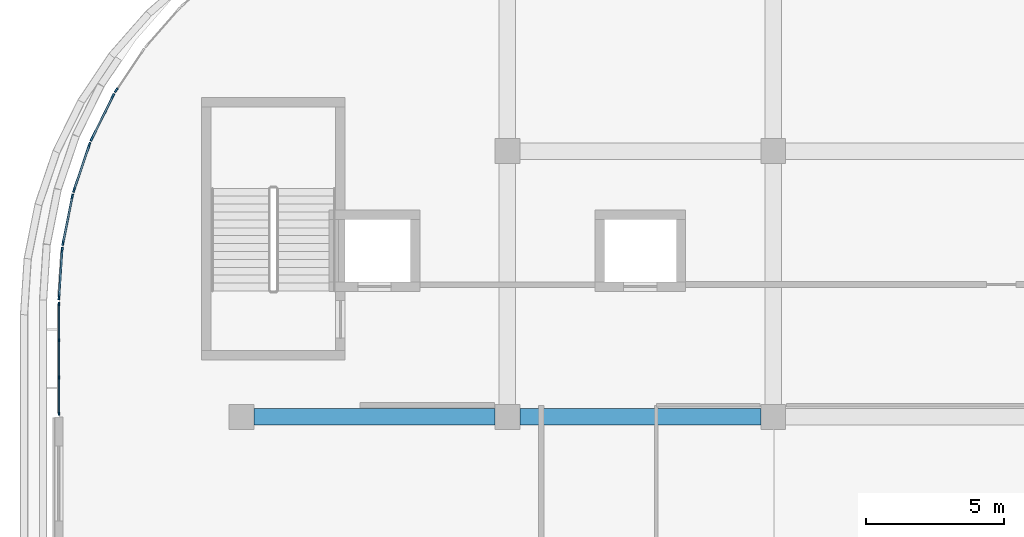
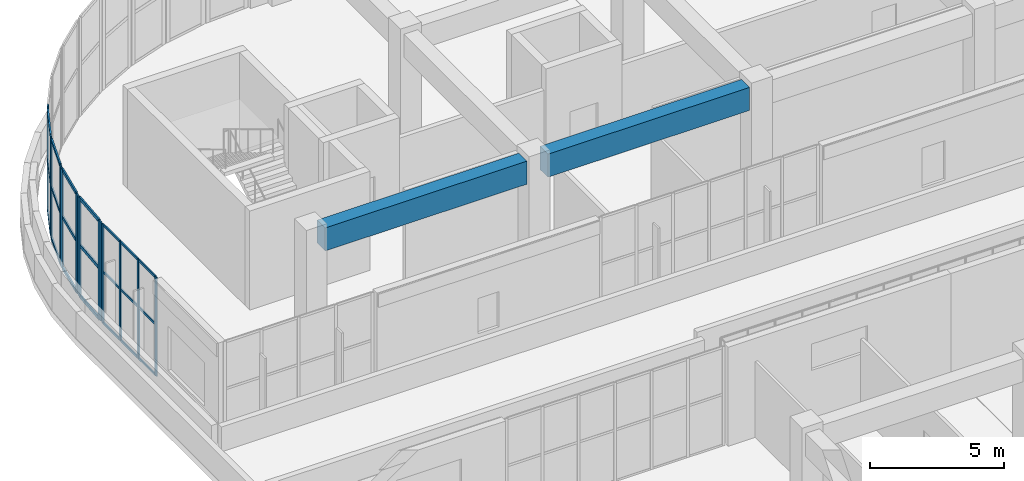
# One storey, part 23 of 96: 34 members, 2 beams, 6 elements without a shape of their own.
"""IFC4 building model written with IfcOpenShell, lengths in metres."""

from ifc_helpers import new_model, si_unit, direction, frame, origin, origin_2d, place, context, subcontext, project, spatial, rectangle, extrude, material, layer, layer_set, material_profile, profile_set, type_object, element, aggregate, save


model = new_model("IFC4")

# Units and contexts
model_context = context("Model", 3, precision=1e-05, world=origin(), true_north=direction((0.0, 1.0)))
body_context = subcontext(model_context, "Body", "Model", "MODEL_VIEW")
ifc_project = project(units=[si_unit("LENGTHUNIT", "METRE"), si_unit("AREAUNIT", "SQUARE_METRE"), si_unit("VOLUMEUNIT", "CUBIC_METRE"), si_unit("PLANEANGLEUNIT", "RADIAN"), si_unit("MASSUNIT", "GRAM", prefix="KILO")], contexts=[model_context])

# Site, building, storey
site_placement = place(None, origin())
site = spatial("IfcSite", under=ifc_project, at=site_placement, CompositionType="ELEMENT")
building_placement = place(site_placement, origin())
building = spatial("IfcBuilding", under=site, at=building_placement, Name="Cendralis Terraced Arcade", CompositionType="ELEMENT")
storey_placement = place(building_placement, frame((0.0, 0.0, 10.199951171875)))
storey = spatial("IfcBuildingStorey", under=building, at=storey_placement, Name="L02", CompositionType="ELEMENT", Elevation=10.199951171875)

# Beams
ifc_material_1 = material(Name="Concrete f'c 35 MPa", Category="concrete")
ifc_material_profile_1 = material_profile(ifc_material_1, rectangle(XDim=0.60009765625, YDim=1.050048828125, at=origin_2d()), Name="RC-BM-600x1050", Category="LoadBearing")
ifc_profile_set_1 = profile_set([ifc_material_profile_1], Name="Concrete f'c 35 MPa")
beam_type = type_object("IfcBeamType", Name="BM-600x1050", PredefinedType="JOIST", material=ifc_profile_set_1)
beam_1_placement = place(storey_placement, frame((10.050048828125, 69.60009765625, 3.989990234375), z_axis=(1.0, 0.0, 0.0), x_axis=(0.0, 1.0, 0.0)))
element("IfcBeam", 1, at=beam_1_placement, inside=storey, type_object=beam_type, Name="Reinforced Concrete Frame Beam BM-X-L03-H-2_3", PredefinedType="JOIST", context=body_context, shape_type="SweptSolid", body=[
    extrude(rectangle(XDim=0.60009765625, YDim=1.050048828125, at=origin_2d()), origin(), (0.0, 0.0, 1.0), 8.699951171875),
])
beam_2_placement = place(storey_placement, frame((19.64990234375, 69.60009765625, 3.989990234375), z_axis=(1.0, 0.0, 0.0), x_axis=(0.0, 1.0, 0.0)))
element("IfcBeam", 2, at=beam_2_placement, inside=storey, type_object=beam_type, Name="Reinforced Concrete Frame Beam BM-X-L03-H-3_4", PredefinedType="JOIST", context=body_context, shape_type="SweptSolid", body=[
    extrude(rectangle(XDim=0.60009765625, YDim=1.050048828125, at=origin_2d()), origin(), (0.0, 0.0, 1.0), 8.7001953125),
])

# Curtain wall, members
ifc_material_2 = material(Name="Anodised aluminium EN AW-6063 T6", Category="aluminium")
ifc_layer_1 = layer(ifc_material_2, 0.1201171875, Name="CW-STORE-B")
ifc_layer_set_1 = layer_set([ifc_layer_1], Name="Anodised aluminium EN AW-6063 T6")
curtain_wall_type_1 = type_object("IfcCurtainWallType", Name="CW-STORE-B", PredefinedType="USERDEFINED", material=ifc_layer_set_1)
curtain_wall_1_placement = place(storey_placement, origin())
curtain_wall_1 = element("IfcCurtainWall", 3, at=curtain_wall_1_placement, inside=storey, type_object=curtain_wall_type_1, Name="Exterior Storefront Glazing CW-L02-0130", ObjectType="STOREFRONT GLAZING", PredefinedType="USERDEFINED")
ifc_material_profile_2 = material_profile(ifc_material_2, rectangle(XDim=0.054931640625, YDim=0.1201171875, at=origin_2d()), Name="ALU-MUL-55x120")
ifc_profile_set_2 = profile_set([ifc_material_profile_2], Name="Anodised aluminium EN AW-6063 T6")
member_type_1 = type_object("IfcMemberType", Name="CW-STORE-B-MUL", PredefinedType="MULLION", material=ifc_profile_set_2)
member_1_placement = place(storey_placement, frame((3.0, 69.717529296875, 0.0), z_axis=(0.0, 0.0, 1.0), x_axis=(-1.0, 0.0, 0.0)))
member_1 = element("IfcMember", 4, at=member_1_placement, type_object=member_type_1, Name="CW-S2 mullion 1", PredefinedType="MULLION", context=body_context, shape_type="SweptSolid", body=[
    extrude(rectangle(XDim=0.054931640625, YDim=0.1201171875, at=origin_2d()), origin(), (0.0, 0.0, 1.0), 4.51513671875),
])
member_2_placement = place(storey_placement, frame((3.0, 71.030029296875, 0.0), z_axis=(0.0, 0.0, 1.0), x_axis=(-1.0, 0.0, 0.0)))
member_2 = element("IfcMember", 5, at=member_2_placement, type_object=member_type_1, Name="CW-S2 mullion 2", PredefinedType="MULLION", context=body_context, shape_type="SweptSolid", body=[
    extrude(rectangle(XDim=0.054931640625, YDim=0.1201171875, at=origin_2d()), origin(), (0.0, 0.0, 1.0), 4.51513671875),
])
member_3_placement = place(storey_placement, frame((3.0, 72.3701171875, 0.0), z_axis=(0.0, 0.0, 1.0), x_axis=(-1.0, 0.0, 0.0)))
member_3 = element("IfcMember", 6, at=member_3_placement, type_object=member_type_1, Name="CW-S2 mullion 3", PredefinedType="MULLION", context=body_context, shape_type="SweptSolid", body=[
    extrude(rectangle(XDim=0.054931640625, YDim=0.1201171875, at=origin_2d()), origin(), (0.0, 0.0, 1.0), 4.51513671875),
])
member_4_placement = place(storey_placement, frame((3.0, 73.6826171875, 0.0), z_axis=(0.0, 0.0, 1.0), x_axis=(-1.0, 0.0, 0.0)))
member_4 = element("IfcMember", 7, at=member_4_placement, type_object=member_type_1, Name="CW-S2 mullion 4", PredefinedType="MULLION", context=body_context, shape_type="SweptSolid", body=[
    extrude(rectangle(XDim=0.054931640625, YDim=0.1201171875, at=origin_2d()), origin(), (0.0, 0.0, 1.0), 4.51513671875),
])
ifc_material_profile_3 = material_profile(ifc_material_2, rectangle(XDim=0.054931640625, YDim=0.10009765625, at=origin_2d()), Name="ALU-TRN-55x100")
ifc_profile_set_3 = profile_set([ifc_material_profile_3], Name="Anodised aluminium EN AW-6063 T6")
member_type_2 = type_object("IfcMemberType", Name="CW-STORE-B-TRN", PredefinedType="USERDEFINED", material=ifc_profile_set_3)
member_5_placement = place(storey_placement, frame((3.0, 69.7451171875, 0.027587890625), z_axis=(0.0, 1.0, 0.0), x_axis=(-1.0, 0.0, 0.0)))
member_5 = element("IfcMember", 8, at=member_5_placement, type_object=member_type_2, Name="CW-S2 transom 1.1", ObjectType="TRANSOM", PredefinedType="USERDEFINED", context=body_context, shape_type="SweptSolid", body=[
    extrude(rectangle(XDim=0.054931640625, YDim=0.10009765625, at=origin_2d()), origin(), (0.0, 0.0, 1.0), 1.25732421875),
])
member_6_placement = place(storey_placement, frame((3.0, 69.7451171875, 2.347900390625), z_axis=(0.0, 1.0, 0.0), x_axis=(-1.0, 0.0, 0.0)))
member_6 = element("IfcMember", 9, at=member_6_placement, type_object=member_type_2, Name="CW-S2 transom 1.2", ObjectType="TRANSOM", PredefinedType="USERDEFINED", context=body_context, shape_type="SweptSolid", body=[
    extrude(rectangle(XDim=0.054931640625, YDim=0.10009765625, at=origin_2d()), origin(), (0.0, 0.0, 1.0), 1.25732421875),
])
member_7_placement = place(storey_placement, frame((3.0, 69.7451171875, 4.487548828125), z_axis=(0.0, 1.0, 0.0), x_axis=(-1.0, 0.0, 0.0)))
member_7 = element("IfcMember", 10, at=member_7_placement, type_object=member_type_2, Name="CW-S2 transom 1.3", ObjectType="TRANSOM", PredefinedType="USERDEFINED", context=body_context, shape_type="SweptSolid", body=[
    extrude(rectangle(XDim=0.054931640625, YDim=0.10009765625, at=origin_2d()), origin(), (0.0, 0.0, 1.0), 1.25732421875),
])
member_8_placement = place(storey_placement, frame((3.0, 71.0576171875, 0.027587890625), z_axis=(0.0, 1.0, 0.0), x_axis=(-1.0, 0.0, 0.0)))
member_8 = element("IfcMember", 11, at=member_8_placement, type_object=member_type_2, Name="CW-S2 transom 2.1", ObjectType="TRANSOM", PredefinedType="USERDEFINED", context=body_context, shape_type="SweptSolid", body=[
    extrude(rectangle(XDim=0.054931640625, YDim=0.10009765625, at=origin_2d()), origin(), (0.0, 0.0, 1.0), 1.284912109375),
])
member_9_placement = place(storey_placement, frame((3.0, 71.0576171875, 2.347900390625), z_axis=(0.0, 1.0, 0.0), x_axis=(-1.0, 0.0, 0.0)))
member_9 = element("IfcMember", 12, at=member_9_placement, type_object=member_type_2, Name="CW-S2 transom 2.2", ObjectType="TRANSOM", PredefinedType="USERDEFINED", context=body_context, shape_type="SweptSolid", body=[
    extrude(rectangle(XDim=0.054931640625, YDim=0.10009765625, at=origin_2d()), origin(), (0.0, 0.0, 1.0), 1.284912109375),
])
member_10_placement = place(storey_placement, frame((3.0, 71.0576171875, 4.487548828125), z_axis=(0.0, 1.0, 0.0), x_axis=(-1.0, 0.0, 0.0)))
member_10 = element("IfcMember", 13, at=member_10_placement, type_object=member_type_2, Name="CW-S2 transom 2.3", ObjectType="TRANSOM", PredefinedType="USERDEFINED", context=body_context, shape_type="SweptSolid", body=[
    extrude(rectangle(XDim=0.054931640625, YDim=0.10009765625, at=origin_2d()), origin(), (0.0, 0.0, 1.0), 1.284912109375),
])
member_11_placement = place(storey_placement, frame((3.0, 72.3974609375, 0.027587890625), z_axis=(0.0, 1.0, 0.0), x_axis=(-1.0, 0.0, 0.0)))
member_11 = element("IfcMember", 14, at=member_11_placement, type_object=member_type_2, Name="CW-S2 transom 3.1", ObjectType="TRANSOM", PredefinedType="USERDEFINED", context=body_context, shape_type="SweptSolid", body=[
    extrude(rectangle(XDim=0.054931640625, YDim=0.10009765625, at=origin_2d()), origin(), (0.0, 0.0, 1.0), 1.257568359375),
])
member_12_placement = place(storey_placement, frame((3.0, 72.3974609375, 2.347900390625), z_axis=(0.0, 1.0, 0.0), x_axis=(-1.0, 0.0, 0.0)))
member_12 = element("IfcMember", 15, at=member_12_placement, type_object=member_type_2, Name="CW-S2 transom 3.2", ObjectType="TRANSOM", PredefinedType="USERDEFINED", context=body_context, shape_type="SweptSolid", body=[
    extrude(rectangle(XDim=0.054931640625, YDim=0.10009765625, at=origin_2d()), origin(), (0.0, 0.0, 1.0), 1.257568359375),
])
member_13_placement = place(storey_placement, frame((3.0, 72.3974609375, 4.487548828125), z_axis=(0.0, 1.0, 0.0), x_axis=(-1.0, 0.0, 0.0)))
member_13 = element("IfcMember", 16, at=member_13_placement, type_object=member_type_2, Name="CW-S2 transom 3.3", ObjectType="TRANSOM", PredefinedType="USERDEFINED", context=body_context, shape_type="SweptSolid", body=[
    extrude(rectangle(XDim=0.054931640625, YDim=0.10009765625, at=origin_2d()), origin(), (0.0, 0.0, 1.0), 1.257568359375),
])
aggregate(curtain_wall_1, [member_1, member_2, member_3, member_4, member_5, member_6, member_7, member_8, member_9, member_10, member_11, member_12, member_13])

ifc_layer_2 = layer(ifc_material_2, 0.179931640625, Name="CW-UNIT-A")
ifc_layer_set_2 = layer_set([ifc_layer_2], Name="Anodised aluminium EN AW-6063 T6")
curtain_wall_type_2 = type_object("IfcCurtainWallType", Name="CW-UNIT-A", PredefinedType="USERDEFINED", material=ifc_layer_set_2)
curtain_wall_2_placement = place(storey_placement, origin())
curtain_wall_2 = element("IfcCurtainWall", 17, at=curtain_wall_2_placement, inside=storey, type_object=curtain_wall_type_2, Name="Exterior Unitised Facade CW-L02-0131", ObjectType="UNITISED FACADE", PredefinedType="USERDEFINED")
ifc_material_profile_4 = material_profile(ifc_material_2, rectangle(XDim=0.06494140625, YDim=0.179931640625, at=origin_2d()), Name="ALU-MUL-65x180")
ifc_profile_set_4 = profile_set([ifc_material_profile_4], Name="Anodised aluminium EN AW-6063 T6")
member_type_3 = type_object("IfcMemberType", Name="CW-UNIT-A-MUL", PredefinedType="MULLION", material=ifc_profile_set_4)
member_14_placement = place(storey_placement, frame((3.008056640625, 73.922119140625, 0.0), z_axis=(0.0, 0.0, 1.0), x_axis=(-0.997860971336, 0.065371873798, 0.0)))
member_14 = element("IfcMember", 18, at=member_14_placement, type_object=member_type_3, Name="CW-U1 mullion 1", PredefinedType="MULLION", context=body_context, shape_type="SweptSolid", body=[
    extrude(rectangle(XDim=0.06494140625, YDim=0.179931640625, at=origin_2d()), origin(), (0.0, 0.0, 1.0), 4.51513671875),
])
member_15_placement = place(storey_placement, frame((3.120361328125, 75.6357421875, 0.0), z_axis=(0.0, 0.0, 1.0), x_axis=(-0.997860971336, 0.065371873798, 0.0)))
member_15 = element("IfcMember", 19, at=member_15_placement, type_object=member_type_3, Name="CW-U1 mullion 2", PredefinedType="MULLION", context=body_context, shape_type="SweptSolid", body=[
    extrude(rectangle(XDim=0.06494140625, YDim=0.179931640625, at=origin_2d()), origin(), (0.0, 0.0, 1.0), 4.51513671875),
])

curtain_wall_3_placement = place(storey_placement, origin())
curtain_wall_3 = element("IfcCurtainWall", 20, at=curtain_wall_3_placement, inside=storey, type_object=curtain_wall_type_2, Name="Exterior Unitised Facade CW-L02-0132", ObjectType="UNITISED FACADE", PredefinedType="USERDEFINED")
member_16_placement = place(storey_placement, frame((3.15234375, 75.878173828125, 0.0), z_axis=(0.0, 0.0, 1.0), x_axis=(-0.980791618721, 0.195058454434, 0.0)))
member_16 = element("IfcMember", 21, at=member_16_placement, type_object=member_type_3, Name="CW-U1 mullion 1", PredefinedType="MULLION", context=body_context, shape_type="SweptSolid", body=[
    extrude(rectangle(XDim=0.06494140625, YDim=0.179931640625, at=origin_2d()), origin(), (0.0, 0.0, 1.0), 4.51513671875),
])
member_17_placement = place(storey_placement, frame((3.487060546875, 77.56201171875, 0.0), z_axis=(0.0, 0.0, 1.0), x_axis=(-0.980791618721, 0.195058454434, 0.0)))
member_17 = element("IfcMember", 22, at=member_17_placement, type_object=member_type_3, Name="CW-U1 mullion 2", PredefinedType="MULLION", context=body_context, shape_type="SweptSolid", body=[
    extrude(rectangle(XDim=0.06494140625, YDim=0.179931640625, at=origin_2d()), origin(), (0.0, 0.0, 1.0), 4.51513671875),
])

curtain_wall_4_placement = place(storey_placement, origin())
curtain_wall_4 = element("IfcCurtainWall", 23, at=curtain_wall_4_placement, inside=storey, type_object=curtain_wall_type_2, Name="Exterior Unitised Facade CW-L02-0133", ObjectType="UNITISED FACADE", PredefinedType="USERDEFINED")
member_18_placement = place(storey_placement, frame((3.550537109375, 77.79833984375, 0.0), z_axis=(0.0, 0.0, 1.0), x_axis=(-0.946923811316, 0.321458077458, 0.0)))
member_18 = element("IfcMember", 24, at=member_18_placement, type_object=member_type_3, Name="CW-U1 mullion 1", PredefinedType="MULLION", context=body_context, shape_type="SweptSolid", body=[
    extrude(rectangle(XDim=0.06494140625, YDim=0.179931640625, at=origin_2d()), origin(), (0.0, 0.0, 1.0), 4.51513671875),
])
member_19_placement = place(storey_placement, frame((4.1025390625, 79.42431640625, 0.0), z_axis=(0.0, 0.0, 1.0), x_axis=(-0.946923811316, 0.321458077458, 0.0)))
member_19 = element("IfcMember", 25, at=member_19_placement, type_object=member_type_3, Name="CW-U1 mullion 2", PredefinedType="MULLION", context=body_context, shape_type="SweptSolid", body=[
    extrude(rectangle(XDim=0.06494140625, YDim=0.179931640625, at=origin_2d()), origin(), (0.0, 0.0, 1.0), 4.51513671875),
])

curtain_wall_5_placement = place(storey_placement, origin())
curtain_wall_5 = element("IfcCurtainWall", 26, at=curtain_wall_5_placement, inside=storey, type_object=curtain_wall_type_2, Name="Exterior Unitised Facade CW-L02-0134", ObjectType="UNITISED FACADE", PredefinedType="USERDEFINED")
member_20_placement = place(storey_placement, frame((4.196044921875, 79.650146484375, 0.0), z_axis=(0.0, 0.0, 1.0), x_axis=(-0.896871480419, 0.442291247495, 0.0)))
member_20 = element("IfcMember", 27, at=member_20_placement, type_object=member_type_3, Name="CW-U1 mullion 1", PredefinedType="MULLION", context=body_context, shape_type="SweptSolid", body=[
    extrude(rectangle(XDim=0.06494140625, YDim=0.179931640625, at=origin_2d()), origin(), (0.0, 0.0, 1.0), 4.51513671875),
])
member_21_placement = place(storey_placement, frame((4.955322265625, 81.190185546875, 0.0), z_axis=(0.0, 0.0, 1.0), x_axis=(-0.896871480419, 0.442291247495, 0.0)))
member_21 = element("IfcMember", 28, at=member_21_placement, type_object=member_type_3, Name="CW-U1 mullion 2", PredefinedType="MULLION", context=body_context, shape_type="SweptSolid", body=[
    extrude(rectangle(XDim=0.06494140625, YDim=0.179931640625, at=origin_2d()), origin(), (0.0, 0.0, 1.0), 4.51513671875),
])

# Curtain wall, member
curtain_wall_6_placement = place(storey_placement, origin())
curtain_wall_6 = element("IfcCurtainWall", 29, at=curtain_wall_6_placement, inside=storey, type_object=curtain_wall_type_2, Name="Exterior Unitised Facade CW-L02-0135", ObjectType="UNITISED FACADE", PredefinedType="USERDEFINED")
member_22_placement = place(storey_placement, frame((5.07763671875, 81.40185546875, 0.0), z_axis=(0.0, 0.0, 1.0), x_axis=(-0.831471454125, 0.555567476528, 0.0)))
member_22 = element("IfcMember", 30, at=member_22_placement, type_object=member_type_3, Name="CW-U1 mullion 1", PredefinedType="MULLION", context=body_context, shape_type="SweptSolid", body=[
    extrude(rectangle(XDim=0.06494140625, YDim=0.179931640625, at=origin_2d()), origin(), (0.0, 0.0, 1.0), 4.51513671875),
])
aggregate(curtain_wall_6, [member_22])

# Member
ifc_material_profile_5 = material_profile(ifc_material_2, rectangle(XDim=0.06494140625, YDim=0.14990234375, at=origin_2d()), Name="ALU-TRN-65x150")
ifc_profile_set_5 = profile_set([ifc_material_profile_5], Name="Anodised aluminium EN AW-6063 T6")
member_type_4 = type_object("IfcMemberType", Name="CW-UNIT-A-TRN", PredefinedType="USERDEFINED", material=ifc_profile_set_5)
member_23_placement = place(storey_placement, frame((3.01025390625, 73.95458984375, 0.032470703125), z_axis=(0.065312640858, 0.997864850039, 0.0), x_axis=(-0.997864850039, 0.065312640858, 0.0)))
member_23 = element("IfcMember", 31, at=member_23_placement, type_object=member_type_4, Name="CW-U1 transom 1.1", ObjectType="TRANSOM", PredefinedType="USERDEFINED", context=body_context, shape_type="SweptSolid", body=[
    extrude(rectangle(XDim=0.06494140625, YDim=0.14990234375, at=origin_2d()), origin(), (0.0, 0.0, 1.0), 1.652099609375),
])

member_24_placement = place(storey_placement, frame((3.01025390625, 73.95458984375, 2.347900390625), z_axis=(0.065312640858, 0.997864850039, 0.0), x_axis=(-0.997864850039, 0.065312640858, 0.0)))
member_24 = element("IfcMember", 32, at=member_24_placement, type_object=member_type_4, Name="CW-U1 transom 1.2", ObjectType="TRANSOM", PredefinedType="USERDEFINED", context=body_context, shape_type="SweptSolid", body=[
    extrude(rectangle(XDim=0.06494140625, YDim=0.14990234375, at=origin_2d()), origin(), (0.0, 0.0, 1.0), 1.652099609375),
])

member_25_placement = place(storey_placement, frame((3.01025390625, 73.95458984375, 4.482666015625), z_axis=(0.065312640858, 0.997864850039, 0.0), x_axis=(-0.997864850039, 0.065312640858, 0.0)))
member_25 = element("IfcMember", 33, at=member_25_placement, type_object=member_type_4, Name="CW-U1 transom 1.3", ObjectType="TRANSOM", PredefinedType="USERDEFINED", context=body_context, shape_type="SweptSolid", body=[
    extrude(rectangle(XDim=0.06494140625, YDim=0.14990234375, at=origin_2d()), origin(), (0.0, 0.0, 1.0), 1.652099609375),
])

aggregate(curtain_wall_2, [member_14, member_15, member_23, member_24, member_25])

member_26_placement = place(storey_placement, frame((3.15869140625, 75.909912109375, 0.032470703125), z_axis=(0.194922378732, 0.980818671452, 0.0), x_axis=(-0.980818671452, 0.194922378732, 0.0)))
member_26 = element("IfcMember", 34, at=member_26_placement, type_object=member_type_4, Name="CW-U1 transom 1.1", ObjectType="TRANSOM", PredefinedType="USERDEFINED", context=body_context, shape_type="SweptSolid", body=[
    extrude(rectangle(XDim=0.06494140625, YDim=0.14990234375, at=origin_2d()), origin(), (0.0, 0.0, 1.0), 1.652099609375),
])

member_27_placement = place(storey_placement, frame((3.15869140625, 75.909912109375, 2.347900390625), z_axis=(0.194922378732, 0.980818671452, 0.0), x_axis=(-0.980818671452, 0.194922378732, 0.0)))
member_27 = element("IfcMember", 35, at=member_27_placement, type_object=member_type_4, Name="CW-U1 transom 1.2", ObjectType="TRANSOM", PredefinedType="USERDEFINED", context=body_context, shape_type="SweptSolid", body=[
    extrude(rectangle(XDim=0.06494140625, YDim=0.14990234375, at=origin_2d()), origin(), (0.0, 0.0, 1.0), 1.652099609375),
])

member_28_placement = place(storey_placement, frame((3.15869140625, 75.909912109375, 4.482666015625), z_axis=(0.194922378732, 0.980818671452, 0.0), x_axis=(-0.980818671452, 0.194922378732, 0.0)))
member_28 = element("IfcMember", 36, at=member_28_placement, type_object=member_type_4, Name="CW-U1 transom 1.3", ObjectType="TRANSOM", PredefinedType="USERDEFINED", context=body_context, shape_type="SweptSolid", body=[
    extrude(rectangle(XDim=0.06494140625, YDim=0.14990234375, at=origin_2d()), origin(), (0.0, 0.0, 1.0), 1.652099609375),
])

aggregate(curtain_wall_3, [member_16, member_17, member_26, member_27, member_28])

member_29_placement = place(storey_placement, frame((3.560791015625, 77.8291015625, 0.032470703125), z_axis=(0.321542430228, 0.94689517137, 0.0), x_axis=(-0.94689517137, 0.321542430228, 0.0)))
member_29 = element("IfcMember", 37, at=member_29_placement, type_object=member_type_4, Name="CW-U1 transom 1.1", ObjectType="TRANSOM", PredefinedType="USERDEFINED", context=body_context, shape_type="SweptSolid", body=[
    extrude(rectangle(XDim=0.06494140625, YDim=0.14990234375, at=origin_2d()), origin(), (0.0, 0.0, 1.0), 1.652099609375),
])

member_30_placement = place(storey_placement, frame((3.560791015625, 77.8291015625, 2.347900390625), z_axis=(0.321542430228, 0.94689517137, 0.0), x_axis=(-0.94689517137, 0.321542430228, 0.0)))
member_30 = element("IfcMember", 38, at=member_30_placement, type_object=member_type_4, Name="CW-U1 transom 1.2", ObjectType="TRANSOM", PredefinedType="USERDEFINED", context=body_context, shape_type="SweptSolid", body=[
    extrude(rectangle(XDim=0.06494140625, YDim=0.14990234375, at=origin_2d()), origin(), (0.0, 0.0, 1.0), 1.652099609375),
])

member_31_placement = place(storey_placement, frame((3.560791015625, 77.8291015625, 4.482666015625), z_axis=(0.321542430228, 0.94689517137, 0.0), x_axis=(-0.94689517137, 0.321542430228, 0.0)))
member_31 = element("IfcMember", 39, at=member_31_placement, type_object=member_type_4, Name="CW-U1 transom 1.3", ObjectType="TRANSOM", PredefinedType="USERDEFINED", context=body_context, shape_type="SweptSolid", body=[
    extrude(rectangle(XDim=0.06494140625, YDim=0.14990234375, at=origin_2d()), origin(), (0.0, 0.0, 1.0), 1.652099609375),
])

aggregate(curtain_wall_4, [member_18, member_19, member_29, member_30, member_31])

member_32_placement = place(storey_placement, frame((4.21044921875, 79.67919921875, 0.032470703125), z_axis=(0.442300625853, 0.896866855431, 0.0), x_axis=(-0.896866855431, 0.442300625853, 0.0)))
member_32 = element("IfcMember", 40, at=member_32_placement, type_object=member_type_4, Name="CW-U1 transom 1.1", ObjectType="TRANSOM", PredefinedType="USERDEFINED", context=body_context, shape_type="SweptSolid", body=[
    extrude(rectangle(XDim=0.06494140625, YDim=0.14990234375, at=origin_2d()), origin(), (0.0, 0.0, 1.0), 1.652099609375),
])

member_33_placement = place(storey_placement, frame((4.21044921875, 79.67919921875, 2.347900390625), z_axis=(0.442300625853, 0.896866855431, 0.0), x_axis=(-0.896866855431, 0.442300625853, 0.0)))
member_33 = element("IfcMember", 41, at=member_33_placement, type_object=member_type_4, Name="CW-U1 transom 1.2", ObjectType="TRANSOM", PredefinedType="USERDEFINED", context=body_context, shape_type="SweptSolid", body=[
    extrude(rectangle(XDim=0.06494140625, YDim=0.14990234375, at=origin_2d()), origin(), (0.0, 0.0, 1.0), 1.652099609375),
])

member_34_placement = place(storey_placement, frame((4.21044921875, 79.67919921875, 4.482666015625), z_axis=(0.442300625853, 0.896866855431, 0.0), x_axis=(-0.896866855431, 0.442300625853, 0.0)))
member_34 = element("IfcMember", 42, at=member_34_placement, type_object=member_type_4, Name="CW-U1 transom 1.3", ObjectType="TRANSOM", PredefinedType="USERDEFINED", context=body_context, shape_type="SweptSolid", body=[
    extrude(rectangle(XDim=0.06494140625, YDim=0.14990234375, at=origin_2d()), origin(), (0.0, 0.0, 1.0), 1.652099609375),
])

aggregate(curtain_wall_5, [member_20, member_21, member_32, member_33, member_34])

save(model, "model.ifc")
